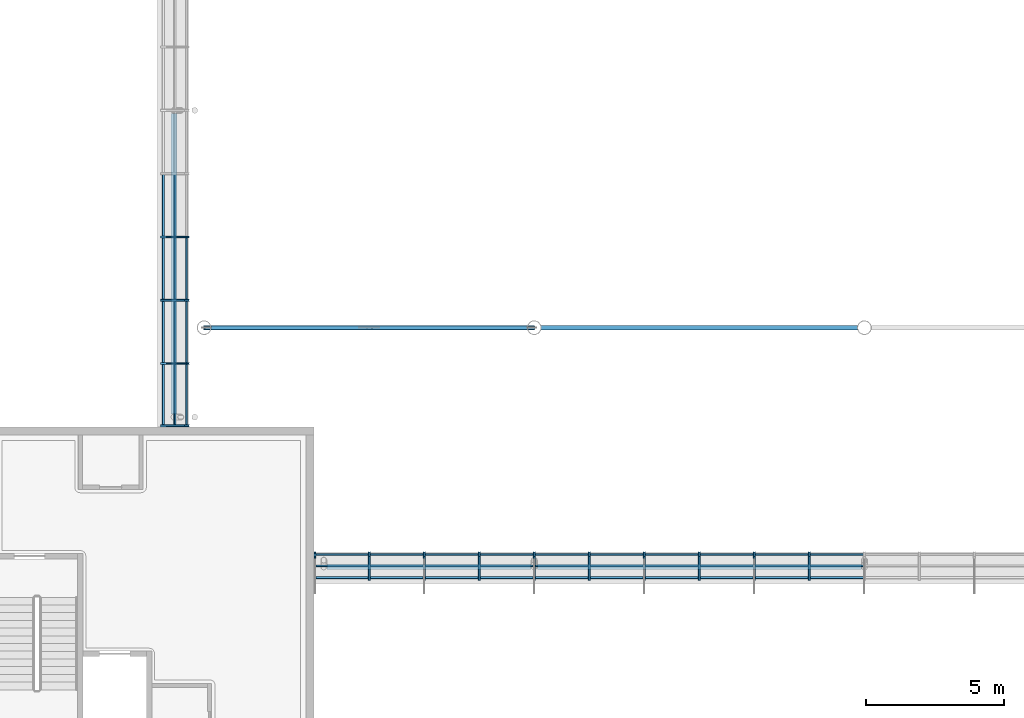
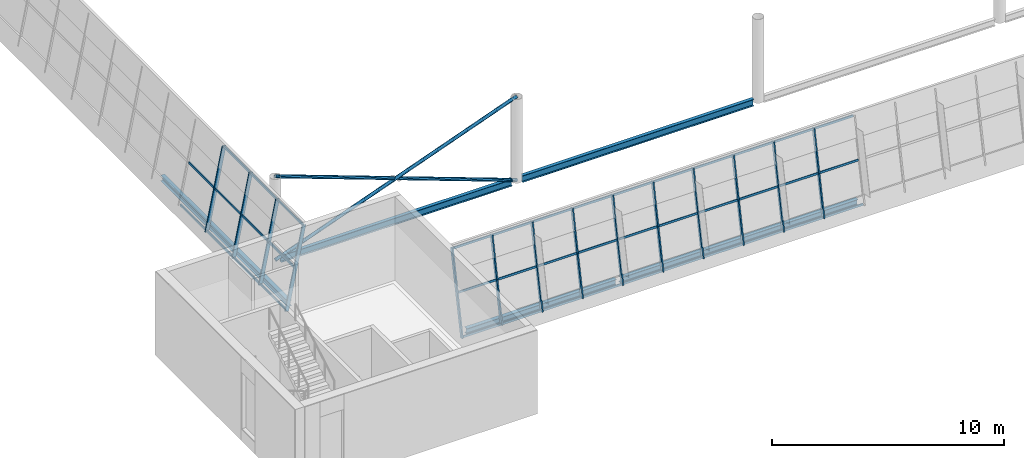
# One storey, part 9 of 50: 58 members, 5 beams, 2 elements without a shape of their own.
"""IFC4 building model written with IfcOpenShell, lengths in metres."""

from ifc_helpers import new_model, si_unit, direction, frame, origin, origin_2d, place, context, subcontext, project, spatial, rectangle, hollow_circle, i_section, extrude, material, layer, layer_set, material_profile, profile_set, type_object, element, aggregate, save


model = new_model("IFC4")

# Units and contexts
model_context = context("Model", 3, precision=1e-05, world=origin(), true_north=direction((0.0, 1.0)))
body_context = subcontext(model_context, "Body", "Model", "MODEL_VIEW")
ifc_project = project(units=[si_unit("LENGTHUNIT", "METRE"), si_unit("AREAUNIT", "SQUARE_METRE"), si_unit("VOLUMEUNIT", "CUBIC_METRE"), si_unit("PLANEANGLEUNIT", "RADIAN"), si_unit("MASSUNIT", "GRAM", prefix="KILO")], contexts=[model_context])

# Site, building, storey
site_placement = place(None, origin())
site = spatial("IfcSite", under=ifc_project, at=site_placement, CompositionType="ELEMENT")
building_placement = place(site_placement, origin())
building = spatial("IfcBuilding", under=site, at=building_placement, Name="Windward Yard Aquatics Centre", CompositionType="ELEMENT")
storey_placement = place(building_placement, frame((0.0, 0.0, 18.199951171875)))
storey = spatial("IfcBuildingStorey", under=building, at=storey_placement, Name="L04", CompositionType="ELEMENT", Elevation=18.199951171875)

# Curtain wall, members
ifc_material_1 = material(Name="Glass and aluminium curtain wall", Category="aluminium")
ifc_layer = layer(ifc_material_1, 0.179931640625)
ifc_layer_set = layer_set([ifc_layer], Name="H curtain wall tier 2 double glazed 6+16+6")
curtain_wall_type = type_object("IfcCurtainWallType", Name="H curtain wall tier 2 double glazed 6+16+6", PredefinedType="NOTDEFINED", material=ifc_layer_set)
curtain_wall_1_placement = place(storey_placement, origin())
curtain_wall_1 = element("IfcCurtainWall", 1, at=curtain_wall_1_placement, inside=storey, type_object=curtain_wall_type, Name="Tier 2 glazing S L04", PredefinedType="NOTDEFINED")
ifc_material_2 = material(Name="Aluminium 6063-T6 anodised", Category="aluminium")
ifc_material_profile_1 = material_profile(ifc_material_2, rectangle(XDim=0.06494140625, YDim=0.179931640625, at=origin_2d()), Name="H CW mullion 65x180")
ifc_profile_set_1 = profile_set([ifc_material_profile_1], Name="Aluminium 6063-T6 anodised")
member_type_1 = type_object("IfcMemberType", Name="H CW mullion 65x180", PredefinedType="MULLION", material=ifc_profile_set_1)
member_1_placement = place(storey_placement, frame((64.032470703125, 32.505126953125, 0.0), z_axis=(0.0, 0.199376314935, 0.979922999548), x_axis=(-1.0, 0.0, 0.0)))
member_1 = element("IfcMember", 2, at=member_1_placement, type_object=member_type_1, Name="G2SA mullion 1", PredefinedType="MULLION", context=body_context, shape_type="SweptSolid", body=[
    extrude(rectangle(XDim=0.06494140625, YDim=0.179931640625, at=origin_2d()), origin(), (0.0, 0.0, 1.0), 4.31884765625),
])
member_2_placement = place(storey_placement, frame((65.999755859375, 32.505126953125, 0.0), z_axis=(0.0, 0.199376314935, 0.979922999548), x_axis=(-1.0, 0.0, 0.0)))
member_2 = element("IfcMember", 3, at=member_2_placement, type_object=member_type_1, Name="G2SA mullion 2", PredefinedType="MULLION", context=body_context, shape_type="SweptSolid", body=[
    extrude(rectangle(XDim=0.06494140625, YDim=0.179931640625, at=origin_2d()), origin(), (0.0, 0.0, 1.0), 4.31884765625),
])
member_3_placement = place(storey_placement, frame((67.99951171875, 32.505126953125, 0.0), z_axis=(0.0, 0.199376314935, 0.979922999548), x_axis=(-1.0, 0.0, 0.0)))
member_3 = element("IfcMember", 4, at=member_3_placement, type_object=member_type_1, Name="G2SA mullion 3", PredefinedType="MULLION", context=body_context, shape_type="SweptSolid", body=[
    extrude(rectangle(XDim=0.06494140625, YDim=0.179931640625, at=origin_2d()), origin(), (0.0, 0.0, 1.0), 4.31884765625),
])
member_4_placement = place(storey_placement, frame((69.999267578125, 32.505126953125, 0.0), z_axis=(0.0, 0.199376314935, 0.979922999548), x_axis=(-1.0, 0.0, 0.0)))
member_4 = element("IfcMember", 5, at=member_4_placement, type_object=member_type_1, Name="G2SA mullion 4", PredefinedType="MULLION", context=body_context, shape_type="SweptSolid", body=[
    extrude(rectangle(XDim=0.06494140625, YDim=0.179931640625, at=origin_2d()), origin(), (0.0, 0.0, 1.0), 4.31884765625),
])
member_5_placement = place(storey_placement, frame((71.9990234375, 32.505126953125, 0.0), z_axis=(0.0, 0.199376314935, 0.979922999548), x_axis=(-1.0, 0.0, 0.0)))
member_5 = element("IfcMember", 6, at=member_5_placement, type_object=member_type_1, Name="G2SA mullion 5", PredefinedType="MULLION", context=body_context, shape_type="SweptSolid", body=[
    extrude(rectangle(XDim=0.06494140625, YDim=0.179931640625, at=origin_2d()), origin(), (0.0, 0.0, 1.0), 4.31884765625),
])
member_6_placement = place(storey_placement, frame((73.998779296875, 32.505126953125, 0.0), z_axis=(0.0, 0.199376314935, 0.979922999548), x_axis=(-1.0, 0.0, 0.0)))
member_6 = element("IfcMember", 7, at=member_6_placement, type_object=member_type_1, Name="G2SA mullion 6", PredefinedType="MULLION", context=body_context, shape_type="SweptSolid", body=[
    extrude(rectangle(XDim=0.06494140625, YDim=0.179931640625, at=origin_2d()), origin(), (0.0, 0.0, 1.0), 4.31884765625),
])
member_7_placement = place(storey_placement, frame((75.99853515625, 32.505126953125, 0.0), z_axis=(0.0, 0.199376314935, 0.979922999548), x_axis=(-1.0, 0.0, 0.0)))
member_7 = element("IfcMember", 8, at=member_7_placement, type_object=member_type_1, Name="G2SA mullion 7", PredefinedType="MULLION", context=body_context, shape_type="SweptSolid", body=[
    extrude(rectangle(XDim=0.06494140625, YDim=0.179931640625, at=origin_2d()), origin(), (0.0, 0.0, 1.0), 4.31884765625),
])
member_8_placement = place(storey_placement, frame((77.998046875, 32.505126953125, 0.0), z_axis=(0.0, 0.199376314935, 0.979922999548), x_axis=(-1.0, 0.0, 0.0)))
member_8 = element("IfcMember", 9, at=member_8_placement, type_object=member_type_1, Name="G2SA mullion 8", PredefinedType="MULLION", context=body_context, shape_type="SweptSolid", body=[
    extrude(rectangle(XDim=0.06494140625, YDim=0.179931640625, at=origin_2d()), origin(), (0.0, 0.0, 1.0), 4.31884765625),
])
member_9_placement = place(storey_placement, frame((79.997802734375, 32.505126953125, 0.0), z_axis=(0.0, 0.199376314935, 0.979922999548), x_axis=(-1.0, 0.0, 0.0)))
member_9 = element("IfcMember", 10, at=member_9_placement, type_object=member_type_1, Name="G2SA mullion 9", PredefinedType="MULLION", context=body_context, shape_type="SweptSolid", body=[
    extrude(rectangle(XDim=0.06494140625, YDim=0.179931640625, at=origin_2d()), origin(), (0.0, 0.0, 1.0), 4.31884765625),
])
member_10_placement = place(storey_placement, frame((81.99755859375, 32.505126953125, 0.0), z_axis=(0.0, 0.199376314935, 0.979922999548), x_axis=(-1.0, 0.0, 0.0)))
member_10 = element("IfcMember", 11, at=member_10_placement, type_object=member_type_1, Name="G2SA mullion 10", PredefinedType="MULLION", context=body_context, shape_type="SweptSolid", body=[
    extrude(rectangle(XDim=0.06494140625, YDim=0.179931640625, at=origin_2d()), origin(), (0.0, 0.0, 1.0), 4.31884765625),
])

curtain_wall_2_placement = place(storey_placement, origin())
curtain_wall_2 = element("IfcCurtainWall", 12, at=curtain_wall_2_placement, inside=storey, type_object=curtain_wall_type, Name="Tier 2 glazing W L04", PredefinedType="NOTDEFINED")
member_11_placement = place(storey_placement, frame((58.505126953125, 38.032470703125, 0.0), z_axis=(0.199376314935, 0.0, 0.979922999548), x_axis=(0.0, 1.0, 0.0)))
member_11 = element("IfcMember", 13, at=member_11_placement, type_object=member_type_1, Name="G2WA mullion 1", PredefinedType="MULLION", context=body_context, shape_type="SweptSolid", body=[
    extrude(rectangle(XDim=0.06494140625, YDim=0.179931640625, at=origin_2d()), origin(), (0.0, 0.0, 1.0), 4.31884765625),
])
member_12_placement = place(storey_placement, frame((58.505126953125, 40.300048828125, 0.0), z_axis=(0.199376314935, 0.0, 0.979922999548), x_axis=(0.0, 1.0, 0.0)))
member_12 = element("IfcMember", 14, at=member_12_placement, type_object=member_type_1, Name="G2WA mullion 2", PredefinedType="MULLION", context=body_context, shape_type="SweptSolid", body=[
    extrude(rectangle(XDim=0.06494140625, YDim=0.179931640625, at=origin_2d()), origin(), (0.0, 0.0, 1.0), 4.31884765625),
])
member_13_placement = place(storey_placement, frame((58.505126953125, 42.60009765625, 0.0), z_axis=(0.199376314935, 0.0, 0.979922999548), x_axis=(0.0, 1.0, 0.0)))
member_13 = element("IfcMember", 15, at=member_13_placement, type_object=member_type_1, Name="G2WA mullion 3", PredefinedType="MULLION", context=body_context, shape_type="SweptSolid", body=[
    extrude(rectangle(XDim=0.06494140625, YDim=0.179931640625, at=origin_2d()), origin(), (0.0, 0.0, 1.0), 4.31884765625),
])
member_14_placement = place(storey_placement, frame((58.505126953125, 44.89990234375, 0.0), z_axis=(0.199376314935, 0.0, 0.979922999548), x_axis=(0.0, 1.0, 0.0)))
member_14 = element("IfcMember", 16, at=member_14_placement, type_object=member_type_1, Name="G2WA mullion 4", PredefinedType="MULLION", context=body_context, shape_type="SweptSolid", body=[
    extrude(rectangle(XDim=0.06494140625, YDim=0.179931640625, at=origin_2d()), origin(), (0.0, 0.0, 1.0), 4.31884765625),
])

# Member
ifc_material_profile_2 = material_profile(ifc_material_2, rectangle(XDim=0.06494140625, YDim=0.10009765625, at=origin_2d()), Name="H CW transom 65x100")
ifc_profile_set_2 = profile_set([ifc_material_profile_2], Name="Aluminium 6063-T6 anodised")
member_type_2 = type_object("IfcMemberType", Name="H CW transom 65x100", PredefinedType="USERDEFINED", material=ifc_profile_set_2)
member_15_placement = place(storey_placement, frame((64.06494140625, 32.51513671875, 0.049072265625), z_axis=(1.0, 0.0, 0.0), x_axis=(0.0, -0.9799247046, 0.19936793452)))
member_15 = element("IfcMember", 17, at=member_15_placement, type_object=member_type_2, Name="G2SA transom 1.1", ObjectType="TRANSOM", PredefinedType="USERDEFINED", context=body_context, shape_type="SweptSolid", body=[
    extrude(rectangle(XDim=0.06494140625, YDim=0.10009765625, at=origin_2d()), origin(), (0.0, 0.0, 1.0), 1.90234375),
])

member_16_placement = place(storey_placement, frame((64.06494140625, 32.9375, 2.125), z_axis=(1.0, 0.0, 0.0), x_axis=(0.0, -0.9799247046, 0.19936793452)))
member_16 = element("IfcMember", 18, at=member_16_placement, type_object=member_type_2, Name="G2SA transom 1.2", ObjectType="TRANSOM", PredefinedType="USERDEFINED", context=body_context, shape_type="SweptSolid", body=[
    extrude(rectangle(XDim=0.06494140625, YDim=0.10009765625, at=origin_2d()), origin(), (0.0, 0.0, 1.0), 1.90234375),
])

member_17_placement = place(storey_placement, frame((64.06494140625, 33.358642578125, 4.194580078125), z_axis=(1.0, 0.0, 0.0), x_axis=(0.0, -0.9799247046, 0.19936793452)))
member_17 = element("IfcMember", 19, at=member_17_placement, type_object=member_type_2, Name="G2SA transom 1.3", ObjectType="TRANSOM", PredefinedType="USERDEFINED", context=body_context, shape_type="SweptSolid", body=[
    extrude(rectangle(XDim=0.06494140625, YDim=0.10009765625, at=origin_2d()), origin(), (0.0, 0.0, 1.0), 1.90234375),
])

member_18_placement = place(storey_placement, frame((66.0322265625, 32.51513671875, 0.049072265625), z_axis=(1.0, 0.0, 0.0), x_axis=(0.0, -0.9799247046, 0.19936793452)))
member_18 = element("IfcMember", 20, at=member_18_placement, type_object=member_type_2, Name="G2SA transom 2.1", ObjectType="TRANSOM", PredefinedType="USERDEFINED", context=body_context, shape_type="SweptSolid", body=[
    extrude(rectangle(XDim=0.06494140625, YDim=0.10009765625, at=origin_2d()), origin(), (0.0, 0.0, 1.0), 1.934814453125),
])

member_19_placement = place(storey_placement, frame((66.0322265625, 32.9375, 2.125), z_axis=(1.0, 0.0, 0.0), x_axis=(0.0, -0.9799247046, 0.19936793452)))
member_19 = element("IfcMember", 21, at=member_19_placement, type_object=member_type_2, Name="G2SA transom 2.2", ObjectType="TRANSOM", PredefinedType="USERDEFINED", context=body_context, shape_type="SweptSolid", body=[
    extrude(rectangle(XDim=0.06494140625, YDim=0.10009765625, at=origin_2d()), origin(), (0.0, 0.0, 1.0), 1.934814453125),
])

member_20_placement = place(storey_placement, frame((66.0322265625, 33.358642578125, 4.194580078125), z_axis=(1.0, 0.0, 0.0), x_axis=(0.0, -0.9799247046, 0.19936793452)))
member_20 = element("IfcMember", 22, at=member_20_placement, type_object=member_type_2, Name="G2SA transom 2.3", ObjectType="TRANSOM", PredefinedType="USERDEFINED", context=body_context, shape_type="SweptSolid", body=[
    extrude(rectangle(XDim=0.06494140625, YDim=0.10009765625, at=origin_2d()), origin(), (0.0, 0.0, 1.0), 1.934814453125),
])

member_21_placement = place(storey_placement, frame((68.031982421875, 32.51513671875, 0.049072265625), z_axis=(1.0, 0.0, 0.0), x_axis=(0.0, -0.9799247046, 0.19936793452)))
member_21 = element("IfcMember", 23, at=member_21_placement, type_object=member_type_2, Name="G2SA transom 3.1", ObjectType="TRANSOM", PredefinedType="USERDEFINED", context=body_context, shape_type="SweptSolid", body=[
    extrude(rectangle(XDim=0.06494140625, YDim=0.10009765625, at=origin_2d()), origin(), (0.0, 0.0, 1.0), 1.934814453125),
])

member_22_placement = place(storey_placement, frame((68.031982421875, 32.9375, 2.125), z_axis=(1.0, 0.0, 0.0), x_axis=(0.0, -0.9799247046, 0.19936793452)))
member_22 = element("IfcMember", 24, at=member_22_placement, type_object=member_type_2, Name="G2SA transom 3.2", ObjectType="TRANSOM", PredefinedType="USERDEFINED", context=body_context, shape_type="SweptSolid", body=[
    extrude(rectangle(XDim=0.06494140625, YDim=0.10009765625, at=origin_2d()), origin(), (0.0, 0.0, 1.0), 1.934814453125),
])

member_23_placement = place(storey_placement, frame((68.031982421875, 33.358642578125, 4.194580078125), z_axis=(1.0, 0.0, 0.0), x_axis=(0.0, -0.9799247046, 0.19936793452)))
member_23 = element("IfcMember", 25, at=member_23_placement, type_object=member_type_2, Name="G2SA transom 3.3", ObjectType="TRANSOM", PredefinedType="USERDEFINED", context=body_context, shape_type="SweptSolid", body=[
    extrude(rectangle(XDim=0.06494140625, YDim=0.10009765625, at=origin_2d()), origin(), (0.0, 0.0, 1.0), 1.934814453125),
])

member_24_placement = place(storey_placement, frame((70.03173828125, 32.51513671875, 0.049072265625), z_axis=(1.0, 0.0, 0.0), x_axis=(0.0, -0.9799247046, 0.19936793452)))
member_24 = element("IfcMember", 26, at=member_24_placement, type_object=member_type_2, Name="G2SA transom 4.1", ObjectType="TRANSOM", PredefinedType="USERDEFINED", context=body_context, shape_type="SweptSolid", body=[
    extrude(rectangle(XDim=0.06494140625, YDim=0.10009765625, at=origin_2d()), origin(), (0.0, 0.0, 1.0), 1.934814453125),
])

member_25_placement = place(storey_placement, frame((70.03173828125, 32.9375, 2.125), z_axis=(1.0, 0.0, 0.0), x_axis=(0.0, -0.9799247046, 0.19936793452)))
member_25 = element("IfcMember", 27, at=member_25_placement, type_object=member_type_2, Name="G2SA transom 4.2", ObjectType="TRANSOM", PredefinedType="USERDEFINED", context=body_context, shape_type="SweptSolid", body=[
    extrude(rectangle(XDim=0.06494140625, YDim=0.10009765625, at=origin_2d()), origin(), (0.0, 0.0, 1.0), 1.934814453125),
])

member_26_placement = place(storey_placement, frame((70.03173828125, 33.358642578125, 4.194580078125), z_axis=(1.0, 0.0, 0.0), x_axis=(0.0, -0.9799247046, 0.19936793452)))
member_26 = element("IfcMember", 28, at=member_26_placement, type_object=member_type_2, Name="G2SA transom 4.3", ObjectType="TRANSOM", PredefinedType="USERDEFINED", context=body_context, shape_type="SweptSolid", body=[
    extrude(rectangle(XDim=0.06494140625, YDim=0.10009765625, at=origin_2d()), origin(), (0.0, 0.0, 1.0), 1.934814453125),
])

member_27_placement = place(storey_placement, frame((72.031494140625, 32.51513671875, 0.049072265625), z_axis=(1.0, 0.0, 0.0), x_axis=(0.0, -0.9799247046, 0.19936793452)))
member_27 = element("IfcMember", 29, at=member_27_placement, type_object=member_type_2, Name="G2SA transom 5.1", ObjectType="TRANSOM", PredefinedType="USERDEFINED", context=body_context, shape_type="SweptSolid", body=[
    extrude(rectangle(XDim=0.06494140625, YDim=0.10009765625, at=origin_2d()), origin(), (0.0, 0.0, 1.0), 1.9345703125),
])

member_28_placement = place(storey_placement, frame((72.031494140625, 32.9375, 2.125), z_axis=(1.0, 0.0, 0.0), x_axis=(0.0, -0.9799247046, 0.19936793452)))
member_28 = element("IfcMember", 30, at=member_28_placement, type_object=member_type_2, Name="G2SA transom 5.2", ObjectType="TRANSOM", PredefinedType="USERDEFINED", context=body_context, shape_type="SweptSolid", body=[
    extrude(rectangle(XDim=0.06494140625, YDim=0.10009765625, at=origin_2d()), origin(), (0.0, 0.0, 1.0), 1.9345703125),
])

member_29_placement = place(storey_placement, frame((72.031494140625, 33.358642578125, 4.194580078125), z_axis=(1.0, 0.0, 0.0), x_axis=(0.0, -0.9799247046, 0.19936793452)))
member_29 = element("IfcMember", 31, at=member_29_placement, type_object=member_type_2, Name="G2SA transom 5.3", ObjectType="TRANSOM", PredefinedType="USERDEFINED", context=body_context, shape_type="SweptSolid", body=[
    extrude(rectangle(XDim=0.06494140625, YDim=0.10009765625, at=origin_2d()), origin(), (0.0, 0.0, 1.0), 1.9345703125),
])

member_30_placement = place(storey_placement, frame((74.03125, 32.51513671875, 0.049072265625), z_axis=(1.0, 0.0, 0.0), x_axis=(0.0, -0.9799247046, 0.19936793452)))
member_30 = element("IfcMember", 32, at=member_30_placement, type_object=member_type_2, Name="G2SA transom 6.1", ObjectType="TRANSOM", PredefinedType="USERDEFINED", context=body_context, shape_type="SweptSolid", body=[
    extrude(rectangle(XDim=0.06494140625, YDim=0.10009765625, at=origin_2d()), origin(), (0.0, 0.0, 1.0), 1.9345703125),
])

member_31_placement = place(storey_placement, frame((74.03125, 32.9375, 2.125), z_axis=(1.0, 0.0, 0.0), x_axis=(0.0, -0.9799247046, 0.19936793452)))
member_31 = element("IfcMember", 33, at=member_31_placement, type_object=member_type_2, Name="G2SA transom 6.2", ObjectType="TRANSOM", PredefinedType="USERDEFINED", context=body_context, shape_type="SweptSolid", body=[
    extrude(rectangle(XDim=0.06494140625, YDim=0.10009765625, at=origin_2d()), origin(), (0.0, 0.0, 1.0), 1.9345703125),
])

member_32_placement = place(storey_placement, frame((74.03125, 33.358642578125, 4.194580078125), z_axis=(1.0, 0.0, 0.0), x_axis=(0.0, -0.9799247046, 0.19936793452)))
member_32 = element("IfcMember", 34, at=member_32_placement, type_object=member_type_2, Name="G2SA transom 6.3", ObjectType="TRANSOM", PredefinedType="USERDEFINED", context=body_context, shape_type="SweptSolid", body=[
    extrude(rectangle(XDim=0.06494140625, YDim=0.10009765625, at=origin_2d()), origin(), (0.0, 0.0, 1.0), 1.9345703125),
])

member_33_placement = place(storey_placement, frame((76.031005859375, 32.51513671875, 0.049072265625), z_axis=(1.0, 0.0, 0.0), x_axis=(0.0, -0.9799247046, 0.19936793452)))
member_33 = element("IfcMember", 35, at=member_33_placement, type_object=member_type_2, Name="G2SA transom 7.1", ObjectType="TRANSOM", PredefinedType="USERDEFINED", context=body_context, shape_type="SweptSolid", body=[
    extrude(rectangle(XDim=0.06494140625, YDim=0.10009765625, at=origin_2d()), origin(), (0.0, 0.0, 1.0), 1.9345703125),
])

member_34_placement = place(storey_placement, frame((76.031005859375, 32.9375, 2.125), z_axis=(1.0, 0.0, 0.0), x_axis=(0.0, -0.9799247046, 0.19936793452)))
member_34 = element("IfcMember", 36, at=member_34_placement, type_object=member_type_2, Name="G2SA transom 7.2", ObjectType="TRANSOM", PredefinedType="USERDEFINED", context=body_context, shape_type="SweptSolid", body=[
    extrude(rectangle(XDim=0.06494140625, YDim=0.10009765625, at=origin_2d()), origin(), (0.0, 0.0, 1.0), 1.9345703125),
])

member_35_placement = place(storey_placement, frame((76.031005859375, 33.358642578125, 4.194580078125), z_axis=(1.0, 0.0, 0.0), x_axis=(0.0, -0.9799247046, 0.19936793452)))
member_35 = element("IfcMember", 37, at=member_35_placement, type_object=member_type_2, Name="G2SA transom 7.3", ObjectType="TRANSOM", PredefinedType="USERDEFINED", context=body_context, shape_type="SweptSolid", body=[
    extrude(rectangle(XDim=0.06494140625, YDim=0.10009765625, at=origin_2d()), origin(), (0.0, 0.0, 1.0), 1.9345703125),
])

member_36_placement = place(storey_placement, frame((78.03076171875, 32.51513671875, 0.049072265625), z_axis=(1.0, 0.0, 0.0), x_axis=(0.0, -0.9799247046, 0.19936793452)))
member_36 = element("IfcMember", 38, at=member_36_placement, type_object=member_type_2, Name="G2SA transom 8.1", ObjectType="TRANSOM", PredefinedType="USERDEFINED", context=body_context, shape_type="SweptSolid", body=[
    extrude(rectangle(XDim=0.06494140625, YDim=0.10009765625, at=origin_2d()), origin(), (0.0, 0.0, 1.0), 1.9345703125),
])

member_37_placement = place(storey_placement, frame((78.03076171875, 32.9375, 2.125), z_axis=(1.0, 0.0, 0.0), x_axis=(0.0, -0.9799247046, 0.19936793452)))
member_37 = element("IfcMember", 39, at=member_37_placement, type_object=member_type_2, Name="G2SA transom 8.2", ObjectType="TRANSOM", PredefinedType="USERDEFINED", context=body_context, shape_type="SweptSolid", body=[
    extrude(rectangle(XDim=0.06494140625, YDim=0.10009765625, at=origin_2d()), origin(), (0.0, 0.0, 1.0), 1.9345703125),
])

member_38_placement = place(storey_placement, frame((78.03076171875, 33.358642578125, 4.194580078125), z_axis=(1.0, 0.0, 0.0), x_axis=(0.0, -0.9799247046, 0.19936793452)))
member_38 = element("IfcMember", 40, at=member_38_placement, type_object=member_type_2, Name="G2SA transom 8.3", ObjectType="TRANSOM", PredefinedType="USERDEFINED", context=body_context, shape_type="SweptSolid", body=[
    extrude(rectangle(XDim=0.06494140625, YDim=0.10009765625, at=origin_2d()), origin(), (0.0, 0.0, 1.0), 1.9345703125),
])

member_39_placement = place(storey_placement, frame((80.0302734375, 32.51513671875, 0.049072265625), z_axis=(1.0, 0.0, 0.0), x_axis=(0.0, -0.9799247046, 0.19936793452)))
member_39 = element("IfcMember", 41, at=member_39_placement, type_object=member_type_2, Name="G2SA transom 9.1", ObjectType="TRANSOM", PredefinedType="USERDEFINED", context=body_context, shape_type="SweptSolid", body=[
    extrude(rectangle(XDim=0.06494140625, YDim=0.10009765625, at=origin_2d()), origin(), (0.0, 0.0, 1.0), 1.934814453125),
])

member_40_placement = place(storey_placement, frame((80.0302734375, 32.9375, 2.125), z_axis=(1.0, 0.0, 0.0), x_axis=(0.0, -0.9799247046, 0.19936793452)))
member_40 = element("IfcMember", 42, at=member_40_placement, type_object=member_type_2, Name="G2SA transom 9.2", ObjectType="TRANSOM", PredefinedType="USERDEFINED", context=body_context, shape_type="SweptSolid", body=[
    extrude(rectangle(XDim=0.06494140625, YDim=0.10009765625, at=origin_2d()), origin(), (0.0, 0.0, 1.0), 1.934814453125),
])

member_41_placement = place(storey_placement, frame((80.0302734375, 33.358642578125, 4.194580078125), z_axis=(1.0, 0.0, 0.0), x_axis=(0.0, -0.9799247046, 0.19936793452)))
member_41 = element("IfcMember", 43, at=member_41_placement, type_object=member_type_2, Name="G2SA transom 9.3", ObjectType="TRANSOM", PredefinedType="USERDEFINED", context=body_context, shape_type="SweptSolid", body=[
    extrude(rectangle(XDim=0.06494140625, YDim=0.10009765625, at=origin_2d()), origin(), (0.0, 0.0, 1.0), 1.934814453125),
])

member_42_placement = place(storey_placement, frame((82.030029296875, 32.51513671875, 0.049072265625), z_axis=(1.0, 0.0, 0.0), x_axis=(0.0, -0.9799247046, 0.19936793452)))
member_42 = element("IfcMember", 44, at=member_42_placement, type_object=member_type_2, Name="G2SA transom 10.1", ObjectType="TRANSOM", PredefinedType="USERDEFINED", context=body_context, shape_type="SweptSolid", body=[
    extrude(rectangle(XDim=0.06494140625, YDim=0.10009765625, at=origin_2d()), origin(), (0.0, 0.0, 1.0), 1.934814453125),
])

member_43_placement = place(storey_placement, frame((82.030029296875, 32.9375, 2.125), z_axis=(1.0, 0.0, 0.0), x_axis=(0.0, -0.9799247046, 0.19936793452)))
member_43 = element("IfcMember", 45, at=member_43_placement, type_object=member_type_2, Name="G2SA transom 10.2", ObjectType="TRANSOM", PredefinedType="USERDEFINED", context=body_context, shape_type="SweptSolid", body=[
    extrude(rectangle(XDim=0.06494140625, YDim=0.10009765625, at=origin_2d()), origin(), (0.0, 0.0, 1.0), 1.934814453125),
])

member_44_placement = place(storey_placement, frame((82.030029296875, 33.358642578125, 4.194580078125), z_axis=(1.0, 0.0, 0.0), x_axis=(0.0, -0.9799247046, 0.19936793452)))
member_44 = element("IfcMember", 46, at=member_44_placement, type_object=member_type_2, Name="G2SA transom 10.3", ObjectType="TRANSOM", PredefinedType="USERDEFINED", context=body_context, shape_type="SweptSolid", body=[
    extrude(rectangle(XDim=0.06494140625, YDim=0.10009765625, at=origin_2d()), origin(), (0.0, 0.0, 1.0), 1.934814453125),
])

aggregate(curtain_wall_1, [member_1, member_2, member_3, member_4, member_5, member_6, member_7, member_8, member_9, member_10, member_15, member_16, member_17, member_18, member_19, member_20, member_21, member_22, member_23, member_24, member_25, member_26, member_27, member_28, member_29, member_30, member_31, member_32, member_33, member_34, member_35, member_36, member_37, member_38, member_39, member_40, member_41, member_42, member_43, member_44])

member_45_placement = place(storey_placement, frame((58.51513671875, 38.06494140625, 0.049072265625), z_axis=(0.0, 1.0, 0.0), x_axis=(-0.9799247046, 0.0, 0.19936793452)))
member_45 = element("IfcMember", 47, at=member_45_placement, type_object=member_type_2, Name="G2WA transom 1.1", ObjectType="TRANSOM", PredefinedType="USERDEFINED", context=body_context, shape_type="SweptSolid", body=[
    extrude(rectangle(XDim=0.06494140625, YDim=0.10009765625, at=origin_2d()), origin(), (0.0, 0.0, 1.0), 2.20263671875),
])

member_46_placement = place(storey_placement, frame((58.9375, 38.06494140625, 2.125), z_axis=(0.0, 1.0, 0.0), x_axis=(-0.9799247046, 0.0, 0.19936793452)))
member_46 = element("IfcMember", 48, at=member_46_placement, type_object=member_type_2, Name="G2WA transom 1.2", ObjectType="TRANSOM", PredefinedType="USERDEFINED", context=body_context, shape_type="SweptSolid", body=[
    extrude(rectangle(XDim=0.06494140625, YDim=0.10009765625, at=origin_2d()), origin(), (0.0, 0.0, 1.0), 2.20263671875),
])

member_47_placement = place(storey_placement, frame((59.358642578125, 38.06494140625, 4.194580078125), z_axis=(0.0, 1.0, 0.0), x_axis=(-0.9799247046, 0.0, 0.19936793452)))
member_47 = element("IfcMember", 49, at=member_47_placement, type_object=member_type_2, Name="G2WA transom 1.3", ObjectType="TRANSOM", PredefinedType="USERDEFINED", context=body_context, shape_type="SweptSolid", body=[
    extrude(rectangle(XDim=0.06494140625, YDim=0.10009765625, at=origin_2d()), origin(), (0.0, 0.0, 1.0), 2.20263671875),
])

member_48_placement = place(storey_placement, frame((58.51513671875, 40.33251953125, 0.049072265625), z_axis=(0.0, 1.0, 0.0), x_axis=(-0.9799247046, 0.0, 0.19936793452)))
member_48 = element("IfcMember", 50, at=member_48_placement, type_object=member_type_2, Name="G2WA transom 2.1", ObjectType="TRANSOM", PredefinedType="USERDEFINED", context=body_context, shape_type="SweptSolid", body=[
    extrude(rectangle(XDim=0.06494140625, YDim=0.10009765625, at=origin_2d()), origin(), (0.0, 0.0, 1.0), 2.23486328125),
])

member_49_placement = place(storey_placement, frame((58.9375, 40.33251953125, 2.125), z_axis=(0.0, 1.0, 0.0), x_axis=(-0.9799247046, 0.0, 0.19936793452)))
member_49 = element("IfcMember", 51, at=member_49_placement, type_object=member_type_2, Name="G2WA transom 2.2", ObjectType="TRANSOM", PredefinedType="USERDEFINED", context=body_context, shape_type="SweptSolid", body=[
    extrude(rectangle(XDim=0.06494140625, YDim=0.10009765625, at=origin_2d()), origin(), (0.0, 0.0, 1.0), 2.23486328125),
])

member_50_placement = place(storey_placement, frame((59.358642578125, 40.33251953125, 4.194580078125), z_axis=(0.0, 1.0, 0.0), x_axis=(-0.9799247046, 0.0, 0.19936793452)))
member_50 = element("IfcMember", 52, at=member_50_placement, type_object=member_type_2, Name="G2WA transom 2.3", ObjectType="TRANSOM", PredefinedType="USERDEFINED", context=body_context, shape_type="SweptSolid", body=[
    extrude(rectangle(XDim=0.06494140625, YDim=0.10009765625, at=origin_2d()), origin(), (0.0, 0.0, 1.0), 2.23486328125),
])

member_51_placement = place(storey_placement, frame((58.51513671875, 42.632568359375, 0.049072265625), z_axis=(0.0, 1.0, 0.0), x_axis=(-0.9799247046, 0.0, 0.19936793452)))
member_51 = element("IfcMember", 53, at=member_51_placement, type_object=member_type_2, Name="G2WA transom 3.1", ObjectType="TRANSOM", PredefinedType="USERDEFINED", context=body_context, shape_type="SweptSolid", body=[
    extrude(rectangle(XDim=0.06494140625, YDim=0.10009765625, at=origin_2d()), origin(), (0.0, 0.0, 1.0), 2.23486328125),
])

member_52_placement = place(storey_placement, frame((58.9375, 42.632568359375, 2.125), z_axis=(0.0, 1.0, 0.0), x_axis=(-0.9799247046, 0.0, 0.19936793452)))
member_52 = element("IfcMember", 54, at=member_52_placement, type_object=member_type_2, Name="G2WA transom 3.2", ObjectType="TRANSOM", PredefinedType="USERDEFINED", context=body_context, shape_type="SweptSolid", body=[
    extrude(rectangle(XDim=0.06494140625, YDim=0.10009765625, at=origin_2d()), origin(), (0.0, 0.0, 1.0), 2.23486328125),
])

member_53_placement = place(storey_placement, frame((59.358642578125, 42.632568359375, 4.194580078125), z_axis=(0.0, 1.0, 0.0), x_axis=(-0.9799247046, 0.0, 0.19936793452)))
member_53 = element("IfcMember", 55, at=member_53_placement, type_object=member_type_2, Name="G2WA transom 3.3", ObjectType="TRANSOM", PredefinedType="USERDEFINED", context=body_context, shape_type="SweptSolid", body=[
    extrude(rectangle(XDim=0.06494140625, YDim=0.10009765625, at=origin_2d()), origin(), (0.0, 0.0, 1.0), 2.23486328125),
])

member_54_placement = place(storey_placement, frame((58.51513671875, 44.9326171875, 0.049072265625), z_axis=(0.0, 1.0, 0.0), x_axis=(-0.9799247046, 0.0, 0.19936793452)))
member_54 = element("IfcMember", 56, at=member_54_placement, type_object=member_type_2, Name="G2WA transom 4.1", ObjectType="TRANSOM", PredefinedType="USERDEFINED", context=body_context, shape_type="SweptSolid", body=[
    extrude(rectangle(XDim=0.06494140625, YDim=0.10009765625, at=origin_2d()), origin(), (0.0, 0.0, 1.0), 2.23486328125),
])

member_55_placement = place(storey_placement, frame((58.9375, 44.9326171875, 2.125), z_axis=(0.0, 1.0, 0.0), x_axis=(-0.9799247046, 0.0, 0.19936793452)))
member_55 = element("IfcMember", 57, at=member_55_placement, type_object=member_type_2, Name="G2WA transom 4.2", ObjectType="TRANSOM", PredefinedType="USERDEFINED", context=body_context, shape_type="SweptSolid", body=[
    extrude(rectangle(XDim=0.06494140625, YDim=0.10009765625, at=origin_2d()), origin(), (0.0, 0.0, 1.0), 2.23486328125),
])

aggregate(curtain_wall_2, [member_11, member_12, member_13, member_14, member_45, member_46, member_47, member_48, member_49, member_50, member_51, member_52, member_53, member_54, member_55])

# Beams
ifc_material_3 = material(Name="Steel ASTM A992 Gr 50", Category="steel")
ifc_material_profile_3 = material_profile(ifc_material_3, i_section(OverallWidth=0.172119140625, OverallDepth=0.35791015625, WebThickness=0.0078125, FlangeThickness=0.01318359375, at=origin_2d()), Name="W360X57.8")
ifc_profile_set_3 = profile_set([ifc_material_profile_3], Name="Steel ASTM A992 Gr 50")
beam_type_1 = type_object("IfcBeamType", Name="H arch column tie beam W360X57.8", PredefinedType="BEAM", material=ifc_profile_set_3)
for number, where, z_axis, x_axis, name in (
    (58, (60.25390625, 41.60009765625, 0.0), (1.0, 0.0, 0.0), (0.0, 1.0, 0.0), "H.TB.S1.T4"),
    (59, (72.25390625, 41.60009765625, 0.0), (1.0, 0.0, 0.0), (0.0, 1.0, 0.0), "H.TB.S2.T4"),
):
    element("IfcBeam", number, at=place(storey_placement, frame(where, z_axis=z_axis, x_axis=x_axis)), inside=storey, type_object=beam_type_1, Name=name, PredefinedType="BEAM", context=body_context, shape_type="SweptSolid", body=[
        extrude(i_section(OverallWidth=0.172119140625, OverallDepth=0.35791015625, WebThickness=0.0078125, FlangeThickness=0.01318359375, at=origin_2d()), origin(), (0.0, 0.0, 1.0), 11.4921875),
    ])

# Members
ifc_material_4 = material(Name="Steel ASTM A500 Gr C", Category="steel")
ifc_material_profile_4 = material_profile(ifc_material_4, hollow_circle(Radius=0.084228515625, WallThickness=0.010986328125, at=origin_2d()), Name="HSS168.3X11")
ifc_profile_set_4 = profile_set([ifc_material_profile_4], Name="Steel ASTM A500 Gr C")
member_type_3 = type_object("IfcMemberType", Name="H column brace HSS168.3X11", PredefinedType="BRACE", material=ifc_profile_set_4)
member_56_placement = place(storey_placement, frame((60.0, 41.60009765625, 0.0), z_axis=(0.938872611543, 0.0, 0.344264751746), x_axis=(0.0, 1.0, 0.0)))
element("IfcMember", 60, at=member_56_placement, inside=storey, type_object=member_type_3, Name="H.VB.S1.L04.A", PredefinedType="BRACE", context=body_context, shape_type="SweptSolid", body=[
    extrude(hollow_circle(Radius=0.084228515625, WallThickness=0.010986328125, at=origin_2d()), origin(), (0.0, 0.0, 1.0), 12.78125),
])
for number, where, z_axis, x_axis, name in (
    (61, (60.0, 41.60009765625, 4.400146484375), (0.938872965334, 0.0, -0.344263786891), (0.0, 1.0, 0.0), "H.VB.S1.L04.B1"),
    (62, (66.103515625, 41.60009765625, 2.162109375), (0.938872965334, 0.0, -0.344263786891), (0.0, 1.0, 0.0), "H.VB.S1.L04.B2"),
):
    element("IfcMember", number, at=place(storey_placement, frame(where, z_axis=z_axis, x_axis=x_axis)), inside=storey, type_object=member_type_3, Name=name, PredefinedType="BRACE", context=body_context, shape_type="SweptSolid", body=[
        extrude(hollow_circle(Radius=0.084228515625, WallThickness=0.010986328125, at=origin_2d()), origin(), (0.0, 0.0, 1.0), 6.2802734375),
    ])

# Beams
ifc_material_profile_5 = material_profile(ifc_material_3, i_section(OverallWidth=0.202880859375, OverallDepth=0.302001953125, WebThickness=0.007568359375, FlangeThickness=0.01318359375, at=origin_2d()), Name="W310X60")
ifc_profile_set_5 = profile_set([ifc_material_profile_5], Name="Steel ASTM A992 Gr 50")
beam_type_2 = type_object("IfcBeamType", Name="H tier ring beam W310X60", PredefinedType="BEAM", material=ifc_profile_set_5)
beam_1_placement = place(storey_placement, frame((64.45947265625, 32.90478515625, 0.0), z_axis=(1.0, 0.0, 0.0), x_axis=(0.0, 1.0, 0.0)))
element("IfcBeam", 63, at=beam_1_placement, inside=storey, type_object=beam_type_2, Name="H.RG.S1.2", PredefinedType="BEAM", context=body_context, shape_type="SweptSolid", body=[
    extrude(i_section(OverallWidth=0.202880859375, OverallDepth=0.302001953125, WebThickness=0.007568359375, FlangeThickness=0.01318359375, at=origin_2d()), origin(), (0.0, 0.0, 1.0), 7.430908203125),
])
beam_2_placement = place(storey_placement, frame((72.109619140625, 32.90478515625, 0.0), z_axis=(1.0, 0.0, 0.0), x_axis=(0.0, 1.0, 0.0)))
element("IfcBeam", 64, at=beam_2_placement, inside=storey, type_object=beam_type_2, Name="H.RG.S2.2", PredefinedType="BEAM", context=body_context, shape_type="SweptSolid", body=[
    extrude(i_section(OverallWidth=0.202880859375, OverallDepth=0.302001953125, WebThickness=0.007568359375, FlangeThickness=0.01318359375, at=origin_2d()), origin(), (0.0, 0.0, 1.0), 11.78076171875),
])
beam_3_placement = place(storey_placement, frame((58.90478515625, 38.45947265625, 0.0), z_axis=(0.0, 1.0, 0.0), x_axis=(-1.0, 0.0, 0.0)))
element("IfcBeam", 65, at=beam_3_placement, inside=storey, type_object=beam_type_2, Name="H.RG.W1.2", PredefinedType="BEAM", context=body_context, shape_type="SweptSolid", body=[
    extrude(i_section(OverallWidth=0.202880859375, OverallDepth=0.302001953125, WebThickness=0.007568359375, FlangeThickness=0.01318359375, at=origin_2d()), origin(), (0.0, 0.0, 1.0), 10.930908203125),
])

save(model, "model.ifc")
